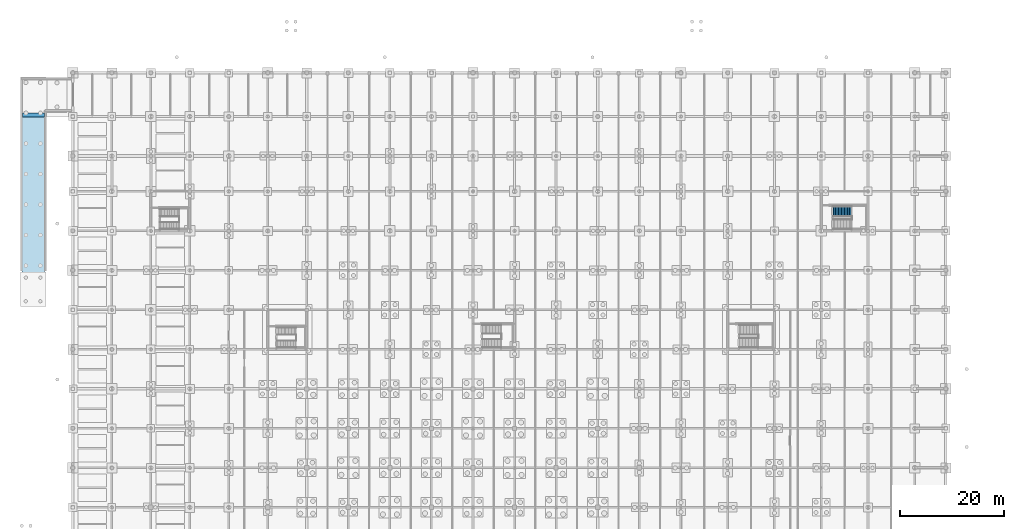
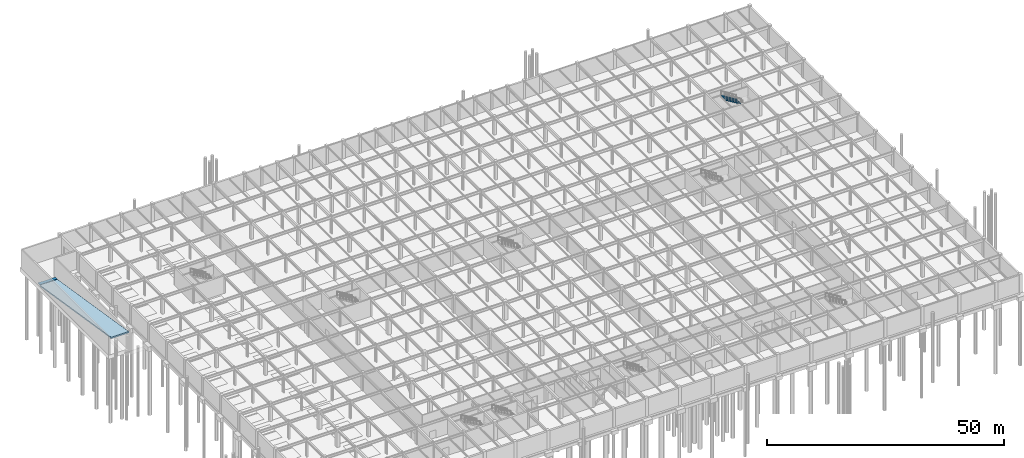
# One storey, part 48 of 53: 1 ramp, 1 slab, 1 stair flight, 1 element without a shape of its own.
"""IFC4 building model written with IfcOpenShell, lengths in metres."""

from ifc_helpers import new_model, si_unit, direction, frame, origin, place, context, subcontext, project, spatial, polyline, outline, extrude, material, layer, layer_set, type_object, element, aggregate, save


model = new_model("IFC4")

# Units and contexts
model_context = context("Model", 3, precision=1e-05, world=origin(), true_north=direction((0.0, 1.0)))
body_context = subcontext(model_context, "Body", "Model", "MODEL_VIEW")
ifc_project = project(units=[si_unit("LENGTHUNIT", "METRE"), si_unit("AREAUNIT", "SQUARE_METRE"), si_unit("VOLUMEUNIT", "CUBIC_METRE"), si_unit("PLANEANGLEUNIT", "RADIAN"), si_unit("MASSUNIT", "GRAM", prefix="KILO")], contexts=[model_context])

# Slab
ifc_material = material(Name="Concrete C35/45", Category="concrete")
ifc_layer = layer(ifc_material, 0.300048828125)
ifc_layer_set = layer_set([ifc_layer], Name="Concrete C35/45")
slab_type = type_object("IfcSlabType", Name="Vehicle Ramp Structural Slab 300", PredefinedType="FLOOR", material=ifc_layer_set)
site_placement = place(None, origin())
building_placement = place(site_placement, origin())
storey_placement = place(building_placement, frame((0.0, 0.0, -4.800048828125)))
slab_placement = place(storey_placement, frame((110.25, 345.5, 0.0), z_axis=(0.0, 0.157479717757, 0.987522221773), x_axis=(1.0, 0.0, 0.0)))
slab = element("IfcSlab", 1, at=slab_placement, type_object=slab_type, Name="Basement Car Park Vehicle Ramp Structural Slab VRM-01", PredefinedType="FLOOR", context=body_context, shape_type="SweptSolid", body=[
    extrude(outline(polyline([(0.0, 0.0), (4.300048828125, 0.0), (4.300048828125, -30.480425647752536), (0.0, -30.480425647752536), (0.0, 0.0)])), origin(), (0.0, 0.0, -1.0), 0.300048828125),
])

# Site, building, storey
site = spatial("IfcSite", under=ifc_project, at=site_placement, CompositionType="ELEMENT")
building = spatial("IfcBuilding", under=site, at=building_placement, Name="Shalkamar Park Central Library", CompositionType="ELEMENT")
storey = spatial("IfcBuildingStorey", under=building, at=storey_placement, Name="B1", CompositionType="ELEMENT", Elevation=-4.800048828125)

# Stair, stair flight
stair_type = type_object("IfcStairType", Name="Protected Dog Leg Stair 200x480", PredefinedType="TWO_STRAIGHT_RUN_STAIR", material=ifc_material)
stair_placement = place(storey_placement, origin())
stair = element("IfcStair", 2, at=stair_placement, inside=storey, type_object=stair_type, Name="Protected Core Stair ST-P6-B1", PredefinedType="TWO_STRAIGHT_RUN_STAIR")
stair_flight_type = type_object("IfcStairFlightType", Name="Straight Stair Flight 200x480", PredefinedType="STRAIGHT", material=ifc_material)
stair_flight_placement = place(storey_placement, frame((269.864990234375, 327.3349609375, 2.400146484375), z_axis=(0.0, 0.0, 1.0), x_axis=(-1.0, 0.0, 0.0)))
stair_flight = element("IfcStairFlight", 3, at=stair_flight_placement, type_object=stair_flight_type, Name="ST-P6-B1 flight 2", NumberOfRisers=14, NumberOfTreads=13, PredefinedType="STRAIGHT", RiserHeight=0.171429, TreadLength=0.28, context=body_context, shape_type="SweptSolid", body=[
    extrude(outline(polyline([(0.0, 0.0), (0.0, 0.17138671875), (0.280029296875, 0.17138671875), (0.280029296875, 0.3427734375), (0.56005859375, 0.3427734375), (0.56005859375, 0.514404296875), (0.840087890625, 0.514404296875), (0.840087890625, 0.685791015625), (1.1201171875, 0.685791015625), (1.1201171875, 0.857177734375), (1.39990234375, 0.857177734375), (1.39990234375, 1.028564453125), (1.679931640625, 1.028564453125), (1.679931640625, 1.199951171875), (1.9599609375, 1.199951171875), (1.9599609375, 1.371337890625), (2.239990234375, 1.371337890625), (2.239990234375, 1.54296875), (2.52001953125, 1.54296875), (2.52001953125, 1.71435546875), (2.800048828125, 1.71435546875), (2.800048828125, 1.8857421875), (3.080078125, 1.8857421875), (3.080078125, 2.05712890625), (3.360107421875, 2.05712890625), (3.360107421875, 2.228515625), (3.639892578125, 2.228515625), (3.639892578125, 2.39990234375), (3.639892578125, 2.052734375), (0.287109375, 0.0), (0.0, 0.0)])), frame((0.0, 1.0, 0.0), z_axis=(0.0, -1.0, 0.0), x_axis=(1.0, 0.0, 0.0)), (0.0, 0.0, 1.0), 2.0),
])
aggregate(stair, [stair_flight])

# Ramp
ramp_type = type_object("IfcRampType", Name="Car Park Vehicle Ramp", PredefinedType="STRAIGHT_RUN_RAMP", material=ifc_material)
ramp_placement = place(storey_placement, origin())
ramp = element("IfcRamp", 4, at=ramp_placement, inside=storey, type_object=ramp_type, Name="Basement Car Park Vehicle Ramp VRM-01", PredefinedType="STRAIGHT_RUN_RAMP", context=body_context, shape_type="SweptSolid", body=[
    extrude(outline(polyline([(110.300048828125, 345.5), (114.5, 345.5), (114.5, 346.300048828125), (110.300048828125, 346.300048828125), (110.300048828125, 345.5)])), origin(), (0.0, 0.0, 1.0), 0.080078125),
])

aggregate(ramp, [slab])

save(model, "model.ifc")
